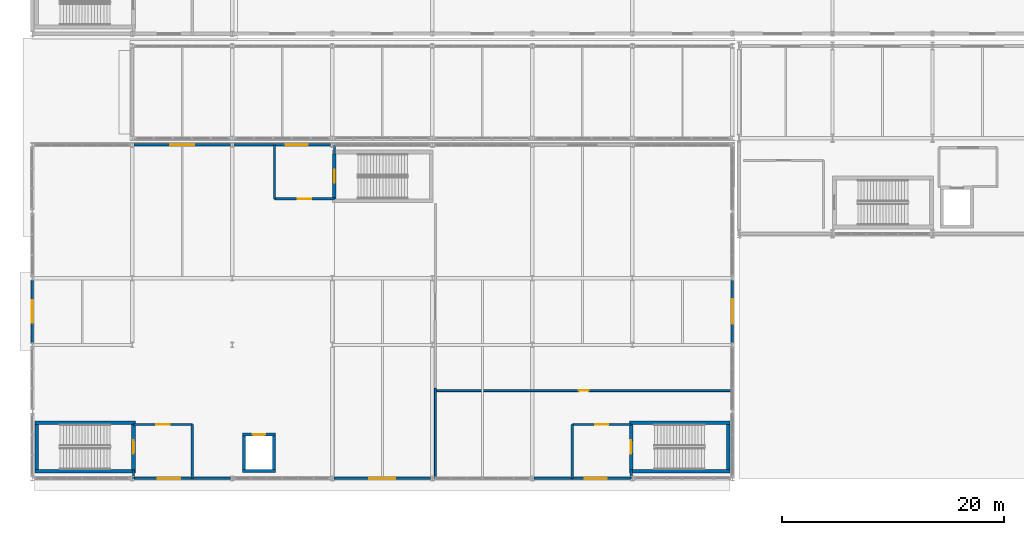
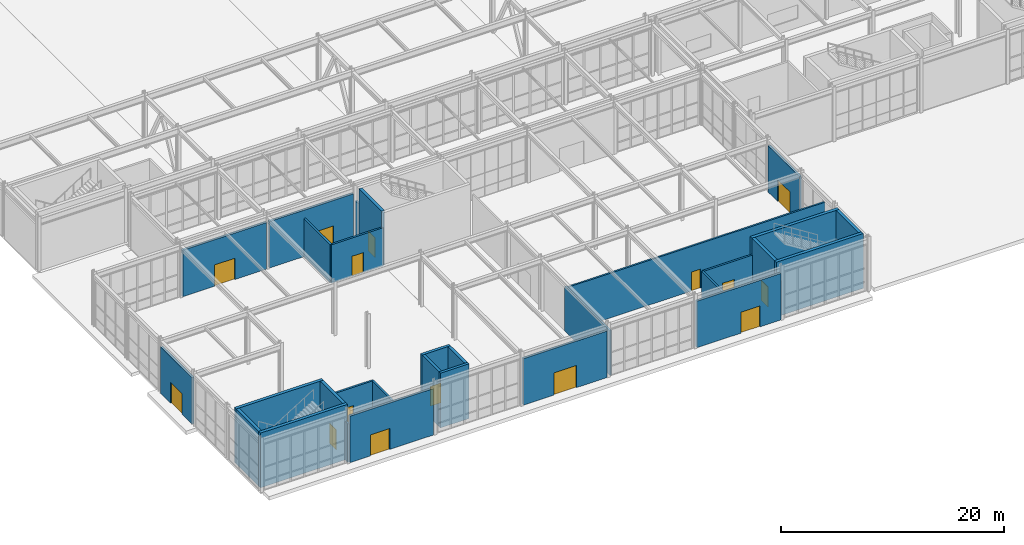
# One storey, part 118 of 146: 31 walls, 15 doors, 15 openings.
"""IFC4 building model written with IfcOpenShell, lengths in metres."""

from ifc_helpers import new_model, si_unit, direction, frame, frame_2d, origin, place, context, subcontext, project, spatial, rectangle, extrude, material, layer, layer_set, type_object, element, fill, save


model = new_model("IFC4")

# Units and contexts
model_context = context("Model", 3, precision=1e-05, world=origin(), true_north=direction((0.0, 1.0)))
body_context = subcontext(model_context, "Body", "Model", "MODEL_VIEW")
ifc_project = project(units=[si_unit("LENGTHUNIT", "METRE"), si_unit("AREAUNIT", "SQUARE_METRE"), si_unit("VOLUMEUNIT", "CUBIC_METRE"), si_unit("PLANEANGLEUNIT", "RADIAN"), si_unit("MASSUNIT", "GRAM", prefix="KILO")], contexts=[model_context])

# Site, building, storey
site_placement = place(None, origin())
site = spatial("IfcSite", under=ifc_project, at=site_placement, CompositionType="ELEMENT")
building_placement = place(site_placement, origin())
building = spatial("IfcBuilding", under=site, at=building_placement, Name="Kaldris Quays Convention Centre", CompositionType="ELEMENT")
storey_placement = place(building_placement, origin())
storey = spatial("IfcBuildingStorey", under=building, at=storey_placement, Name="L00", CompositionType="ELEMENT", Elevation=0.0)

# Wall, opening, door
ifc_material_1 = material(Name="Basalt stone ashlar cladding", Category="masonry")
ifc_layer_1 = layer(ifc_material_1, 0.241943359375)
ifc_layer_set_1 = layer_set([ifc_layer_1], Name="Basalt stone ashlar cladding")
wall_type_1 = type_object("IfcWallType", Name="EXTERIOR WALL EW05", PredefinedType="STANDARD", material=ifc_layer_set_1)
wall_1_placement = place(storey_placement, frame((29.14990234375, 16.0, 0.0), z_axis=(0.0, 0.0, 1.0), x_axis=(1.0, 0.0, 0.0)))
wall_1 = element("IfcWall", 1, at=wall_1_placement, inside=storey, type_object=wall_type_1, Name="L00 Exterior Wall EW05 153", PredefinedType="STANDARD", context=body_context, shape_type="SweptSolid", body=[
    extrude(rectangle(XDim=8.7001953125, YDim=0.241943359375, at=frame_2d((4.35009765625, 0.0))), origin(), (0.0, 0.0, 1.0), 5.097900390625),
])
opening_1_placement = place(wall_1_placement, frame((2.14990234375, 0.0, 0.0)))
opening_1 = element("IfcOpeningElement", 2, at=opening_1_placement, cuts=wall_1, Name="Opening ED01", PredefinedType="OPENING", context=body_context, shape_type="SweptSolid", body=[
    extrude(rectangle(XDim=2.0, YDim=2.300048828125, at=frame_2d((1.0, 1.14990234375))), frame((0.0, 0.130859375, 0.0), z_axis=(0.0, -1.0, 0.0), x_axis=(1.0, 0.0, 0.0)), (0.0, 0.0, 1.0), 0.261962890625),
])
ifc_material_2 = material(Name="Thermally broken anodized aluminium and laminated safety glass", Category="aluminium")
door_type_1 = type_object("IfcDoorType", Name="EXTERIOR DOOR ED01", OperationType="DOUBLE_DOOR_SINGLE_SWING", PredefinedType="DOOR", material=ifc_material_2)
door_1_placement = place(opening_1_placement, frame((2.0, 0.0, 0.0), z_axis=(0.0, 0.0, 1.0), x_axis=(-1.0, 0.0, 0.0)))
door_1 = element("IfcDoor", 3, at=door_1_placement, inside=storey, type_object=door_type_1, Name="L00 Stair ST05 Final Exterior Exit Door ED01", OperationType="DOUBLE_DOOR_SINGLE_SWING", OverallHeight=2.300048828125, OverallWidth=2.0, PredefinedType="DOOR", context=body_context, shape_type="SweptSolid", body=[
    extrude(rectangle(XDim=2.0, YDim=2.300048828125, at=frame_2d((1.0, 1.14990234375))), frame((0.0, 0.02490234375, 0.0), z_axis=(0.0, -1.0, 0.0), x_axis=(1.0, 0.0, 0.0)), (0.0, 0.0, 1.0), 0.050048828125),
])
fill(opening_1, door_1)

wall_2_placement = place(storey_placement, frame((29.14990234375, 46.0, 0.0), z_axis=(0.0, 0.0, 1.0), x_axis=(1.0, 0.0, 0.0)))
wall_2 = element("IfcWall", 4, at=wall_2_placement, inside=storey, type_object=wall_type_1, Name="L00 Exterior Wall EW05 154", PredefinedType="STANDARD", context=body_context, shape_type="SweptSolid", body=[
    extrude(rectangle(XDim=8.7001953125, YDim=0.241943359375, at=frame_2d((4.35009765625, 0.0))), origin(), (0.0, 0.0, 1.0), 5.097900390625),
])
opening_2_placement = place(wall_2_placement, frame((3.2900390625, 0.0, 0.0)))
opening_2 = element("IfcOpeningElement", 5, at=opening_2_placement, cuts=wall_2, Name="Opening ED08", PredefinedType="OPENING", context=body_context, shape_type="SweptSolid", body=[
    extrude(rectangle(XDim=2.1201171875, YDim=2.340087890625, at=frame_2d((1.06005859375, 1.169921875))), frame((0.0, 0.130859375, 0.0), z_axis=(0.0, -1.0, 0.0), x_axis=(1.0, 0.0, 0.0)), (0.0, 0.0, 1.0), 0.261962890625),
])
door_type_2 = type_object("IfcDoorType", Name="EXTERIOR DOOR ED08", OperationType="DOUBLE_DOOR_SINGLE_SWING", PredefinedType="DOOR", material=ifc_material_2)
door_2_placement = place(opening_2_placement, origin())
door_2 = element("IfcDoor", 6, at=door_2_placement, inside=storey, type_object=door_type_2, Name="L00 Exterior Exit Door ED08 28", OperationType="DOUBLE_DOOR_SINGLE_SWING", OverallHeight=2.340087890625, OverallWidth=2.1201171875, PredefinedType="DOOR", context=body_context, shape_type="SweptSolid", body=[
    extrude(rectangle(XDim=2.1201171875, YDim=2.340087890625, at=frame_2d((1.06005859375, 1.169921875))), frame((0.0, 0.02490234375, 0.0), z_axis=(0.0, -1.0, 0.0), x_axis=(1.0, 0.0, 0.0)), (0.0, 0.0, 1.0), 0.050048828125),
])
fill(opening_2, door_2)

wall_3_placement = place(storey_placement, frame((38.14990234375, 46.0, 0.0), z_axis=(0.0, 0.0, 1.0), x_axis=(1.0, 0.0, 0.0)))
wall_3 = element("IfcWall", 7, at=wall_3_placement, inside=storey, type_object=wall_type_1, Name="L00 Exterior Wall EW05 155", PredefinedType="STANDARD", context=body_context, shape_type="SweptSolid", body=[
    extrude(rectangle(XDim=8.7001953125, YDim=0.241943359375, at=frame_2d((4.35009765625, 0.0))), origin(), (0.0, 0.0, 1.0), 5.097900390625),
])
opening_3_placement = place(wall_3_placement, frame((4.64990234375, 0.0, 0.0)))
opening_3 = element("IfcOpeningElement", 8, at=opening_3_placement, cuts=wall_3, Name="Opening ED01", PredefinedType="OPENING", context=body_context, shape_type="SweptSolid", body=[
    extrude(rectangle(XDim=2.0, YDim=2.300048828125, at=frame_2d((1.0, 1.14990234375))), frame((0.0, 0.130859375, 0.0), z_axis=(0.0, -1.0, 0.0), x_axis=(1.0, 0.0, 0.0)), (0.0, 0.0, 1.0), 0.261962890625),
])
door_3_placement = place(opening_3_placement, origin())
door_3 = element("IfcDoor", 9, at=door_3_placement, inside=storey, type_object=door_type_1, Name="L00 Stair ST07 Final Exterior Exit Door ED01", OperationType="DOUBLE_DOOR_SINGLE_SWING", OverallHeight=2.300048828125, OverallWidth=2.0, PredefinedType="DOOR", context=body_context, shape_type="SweptSolid", body=[
    extrude(rectangle(XDim=2.0, YDim=2.300048828125, at=frame_2d((1.0, 1.14990234375))), frame((0.0, 0.02490234375, 0.0), z_axis=(0.0, -1.0, 0.0), x_axis=(1.0, 0.0, 0.0)), (0.0, 0.0, 1.0), 0.050048828125),
])
fill(opening_3, door_3)

wall_4_placement = place(storey_placement, frame((47.14990234375, 16.0, 0.0), z_axis=(0.0, 0.0, 1.0), x_axis=(1.0, 0.0, 0.0)))
wall_4 = element("IfcWall", 10, at=wall_4_placement, inside=storey, type_object=wall_type_1, Name="L00 Exterior Wall EW05 156", PredefinedType="STANDARD", context=body_context, shape_type="SweptSolid", body=[
    extrude(rectangle(XDim=8.7001953125, YDim=0.241943359375, at=frame_2d((4.35009765625, 0.0))), origin(), (0.0, 0.0, 1.0), 5.097900390625),
])
opening_4_placement = place(wall_4_placement, frame((3.18994140625, 0.0, 0.0)))
opening_4 = element("IfcOpeningElement", 11, at=opening_4_placement, cuts=wall_4, Name="Opening ED09", PredefinedType="OPENING", context=body_context, shape_type="SweptSolid", body=[
    extrude(rectangle(XDim=2.320068359375, YDim=2.43994140625, at=frame_2d((1.16015625, 1.219970703125))), frame((0.0, 0.130859375, 0.0), z_axis=(0.0, -1.0, 0.0), x_axis=(1.0, 0.0, 0.0)), (0.0, 0.0, 1.0), 0.261962890625),
])
door_type_3 = type_object("IfcDoorType", Name="EXTERIOR DOOR ED09", OperationType="DOUBLE_DOOR_SINGLE_SWING", PredefinedType="DOOR", material=ifc_material_2)
door_4_placement = place(opening_4_placement, frame((2.320068359375, 0.0, 0.0), z_axis=(0.0, 0.0, 1.0), x_axis=(-1.0, 0.0, 0.0)))
door_4 = element("IfcDoor", 12, at=door_4_placement, inside=storey, type_object=door_type_3, Name="L00 Exterior Exit Door ED09 29", OperationType="DOUBLE_DOOR_SINGLE_SWING", OverallHeight=2.43994140625, OverallWidth=2.320068359375, PredefinedType="DOOR", context=body_context, shape_type="SweptSolid", body=[
    extrude(rectangle(XDim=2.320068359375, YDim=2.43994140625, at=frame_2d((1.16015625, 1.219970703125))), frame((0.0, 0.02490234375, 0.0), z_axis=(0.0, -1.0, 0.0), x_axis=(1.0, 0.0, 0.0)), (0.0, 0.0, 1.0), 0.050048828125),
])
fill(opening_4, door_4)

wall_5_placement = place(storey_placement, frame((65.14990234375, 16.0, 0.0), z_axis=(0.0, 0.0, 1.0), x_axis=(1.0, 0.0, 0.0)))
wall_5 = element("IfcWall", 13, at=wall_5_placement, inside=storey, type_object=wall_type_1, Name="L00 Exterior Wall EW05 157", PredefinedType="STANDARD", context=body_context, shape_type="SweptSolid", body=[
    extrude(rectangle(XDim=8.7001953125, YDim=0.241943359375, at=frame_2d((4.35009765625, 0.0))), origin(), (0.0, 0.0, 1.0), 5.097900390625),
])
opening_5_placement = place(wall_5_placement, frame((4.550048828125, 0.0, 0.0)))
opening_5 = element("IfcOpeningElement", 14, at=opening_5_placement, cuts=wall_5, Name="Opening ED01", PredefinedType="OPENING", context=body_context, shape_type="SweptSolid", body=[
    extrude(rectangle(XDim=2.0, YDim=2.300048828125, at=frame_2d((1.0, 1.14990234375))), frame((0.0, 0.130859375, 0.0), z_axis=(0.0, -1.0, 0.0), x_axis=(1.0, 0.0, 0.0)), (0.0, 0.0, 1.0), 0.261962890625),
])
door_5_placement = place(opening_5_placement, frame((2.0, 0.0, 0.0), z_axis=(0.0, 0.0, 1.0), x_axis=(-1.0, 0.0, 0.0)))
door_5 = element("IfcDoor", 15, at=door_5_placement, inside=storey, type_object=door_type_1, Name="L00 Stair ST06 Final Exterior Exit Door ED01", OperationType="DOUBLE_DOOR_SINGLE_SWING", OverallHeight=2.300048828125, OverallWidth=2.0, PredefinedType="DOOR", context=body_context, shape_type="SweptSolid", body=[
    extrude(rectangle(XDim=2.0, YDim=2.300048828125, at=frame_2d((1.0, 1.14990234375))), frame((0.0, 0.02490234375, 0.0), z_axis=(0.0, -1.0, 0.0), x_axis=(1.0, 0.0, 0.0)), (0.0, 0.0, 1.0), 0.050048828125),
])
fill(opening_5, door_5)

wall_6_placement = place(storey_placement, frame((20.0, 28.193603515625, 0.0), z_axis=(0.0, 0.0, 1.0), x_axis=(0.0, 1.0, 0.0)))
wall_6 = element("IfcWall", 16, at=wall_6_placement, inside=storey, type_object=wall_type_1, Name="L00 Exterior Wall EW05 159", PredefinedType="STANDARD", context=body_context, shape_type="SweptSolid", body=[
    extrude(rectangle(XDim=5.61279296875, YDim=0.241943359375, at=frame_2d((2.806396484375, 0.0))), origin(), (0.0, 0.0, 1.0), 5.097900390625),
])
opening_6_placement = place(wall_6_placement, frame((1.806396484375, 0.0, 0.0)))
opening_6 = element("IfcOpeningElement", 17, at=opening_6_placement, cuts=wall_6, Name="Opening ED01", PredefinedType="OPENING", context=body_context, shape_type="SweptSolid", body=[
    extrude(rectangle(XDim=2.0, YDim=2.300048828125, at=frame_2d((1.0, 1.14990234375))), frame((0.0, 0.130859375, 0.0), z_axis=(0.0, -1.0, 0.0), x_axis=(1.0, 0.0, 0.0)), (0.0, 0.0, 1.0), 0.261962890625),
])
door_6_placement = place(opening_6_placement, origin())
door_6 = element("IfcDoor", 18, at=door_6_placement, inside=storey, type_object=door_type_1, Name="L00 Exterior Exit Door ED01 31", OperationType="DOUBLE_DOOR_SINGLE_SWING", OverallHeight=2.300048828125, OverallWidth=2.0, PredefinedType="DOOR", context=body_context, shape_type="SweptSolid", body=[
    extrude(rectangle(XDim=2.0, YDim=2.300048828125, at=frame_2d((1.0, 1.14990234375))), frame((0.0, 0.02490234375, 0.0), z_axis=(0.0, -1.0, 0.0), x_axis=(1.0, 0.0, 0.0)), (0.0, 0.0, 1.0), 0.050048828125),
])
fill(opening_6, door_6)

wall_7_placement = place(storey_placement, frame((83.0, 28.193603515625, 0.0), z_axis=(0.0, 0.0, 1.0), x_axis=(0.0, 1.0, 0.0)))
wall_7 = element("IfcWall", 19, at=wall_7_placement, inside=storey, type_object=wall_type_1, Name="L00 Exterior Wall EW05 160", PredefinedType="STANDARD", context=body_context, shape_type="SweptSolid", body=[
    extrude(rectangle(XDim=5.61279296875, YDim=0.241943359375, at=frame_2d((2.806396484375, 0.0))), origin(), (0.0, 0.0, 1.0), 5.097900390625),
])
opening_7_placement = place(wall_7_placement, frame((1.70654296875, 0.0, 0.0)))
opening_7 = element("IfcOpeningElement", 20, at=opening_7_placement, cuts=wall_7, Name="Opening ED02", PredefinedType="OPENING", context=body_context, shape_type="SweptSolid", body=[
    extrude(rectangle(XDim=2.199951171875, YDim=2.39990234375, at=frame_2d((1.10009765625, 1.199951171875))), frame((0.0, 0.130859375, 0.0), z_axis=(0.0, -1.0, 0.0), x_axis=(1.0, 0.0, 0.0)), (0.0, 0.0, 1.0), 0.261962890625),
])
door_type_4 = type_object("IfcDoorType", Name="EXTERIOR DOOR ED02", OperationType="DOUBLE_DOOR_SINGLE_SWING", PredefinedType="DOOR", material=ifc_material_2)
door_7_placement = place(opening_7_placement, frame((2.199951171875, 0.0, 0.0), z_axis=(0.0, 0.0, 1.0), x_axis=(-1.0, 0.0, 0.0)))
door_7 = element("IfcDoor", 21, at=door_7_placement, inside=storey, type_object=door_type_4, Name="L00 Exterior Exit Door ED02 32", OperationType="DOUBLE_DOOR_SINGLE_SWING", OverallHeight=2.39990234375, OverallWidth=2.199951171875, PredefinedType="DOOR", context=body_context, shape_type="SweptSolid", body=[
    extrude(rectangle(XDim=2.199951171875, YDim=2.39990234375, at=frame_2d((1.10009765625, 1.199951171875))), frame((0.0, 0.02490234375, 0.0), z_axis=(0.0, -1.0, 0.0), x_axis=(1.0, 0.0, 0.0)), (0.0, 0.0, 1.0), 0.050048828125),
])
fill(opening_7, door_7)

ifc_material_3 = material(Name="Concrete C35/45", Category="concrete")
ifc_layer_2 = layer(ifc_material_3, 0.199951171875)
ifc_layer_set_2 = layer_set([ifc_layer_2], Name="Concrete C35/45")
wall_type_2 = type_object("IfcWallType", Name="INTERIOR WALL IW01", PredefinedType="PARTITIONING", material=ifc_layer_set_2)
wall_8_placement = place(storey_placement, frame((29.110107421875, 20.85009765625, 0.0), z_axis=(0.0, 0.0, 1.0), x_axis=(1.0, 0.0, 0.0)))
wall_8 = element("IfcWall", 22, at=wall_8_placement, inside=storey, type_object=wall_type_2, Name="L00 Protected Exit Lobby ST05 Fire Wall", PredefinedType="PARTITIONING", context=body_context, shape_type="SweptSolid", body=[
    extrude(rectangle(XDim=5.289794921875, YDim=0.199951171875, at=frame_2d((2.64501953125, 0.0))), origin(), (0.0, 0.0, 1.0), 4.199951171875),
])
opening_8_placement = place(wall_8_placement, frame((2.044921875, 0.0, 0.0)))
opening_8 = element("IfcOpeningElement", 23, at=opening_8_placement, cuts=wall_8, Name="Opening ID03", PredefinedType="OPENING", context=body_context, shape_type="SweptSolid", body=[
    extrude(rectangle(XDim=1.199951171875, YDim=2.199951171875, at=frame_2d((0.60009765625, 1.10009765625))), frame((0.0, 0.10986328125, 0.0), z_axis=(0.0, -1.0, 0.0), x_axis=(1.0, 0.0, 0.0)), (0.0, 0.0, 1.0), 0.219970703125),
])
ifc_material_4 = material(Name="Steel S355J2 fire-resisting door", Category="steel")
door_type_5 = type_object("IfcDoorType", Name="INTERIOR DOOR ID03", OperationType="NOTDEFINED", PredefinedType="DOOR", material=ifc_material_4)
door_8_placement = place(opening_8_placement, frame((1.199951171875, 0.0, 0.0), z_axis=(0.0, 0.0, 1.0), x_axis=(-1.0, 0.0, 0.0)))
door_8 = element("IfcDoor", 24, at=door_8_placement, inside=storey, type_object=door_type_5, Name="L00 Protected Exit Lobby ST05 Entry Fire Door", OperationType="SINGLE_SWING_LEFT", OverallHeight=2.199951171875, OverallWidth=1.199951171875, PredefinedType="DOOR", context=body_context, shape_type="SweptSolid", body=[
    extrude(rectangle(XDim=1.199951171875, YDim=2.199951171875, at=frame_2d((0.60009765625, 1.10009765625))), frame((0.0, 0.02490234375, 0.0), z_axis=(0.0, -1.0, 0.0), x_axis=(1.0, 0.0, 0.0)), (0.0, 0.0, 1.0), 0.050048828125),
])
fill(opening_8, door_8)

# Walls
wall_9_placement = place(storey_placement, frame((34.39990234375, 16.0, 0.0), z_axis=(0.0, 0.0, 1.0), x_axis=(0.0, 1.0, 0.0)))
element("IfcWall", 25, at=wall_9_placement, inside=storey, type_object=wall_type_2, Name="L00 Protected Exit Lobby ST05 Side Wall 1", PredefinedType="PARTITIONING", context=body_context, shape_type="SweptSolid", body=[
    extrude(rectangle(XDim=4.85009765625, YDim=0.199951171875, at=frame_2d((2.425048828125, 0.0))), origin(), (0.0, 0.0, 1.0), 4.199951171875),
])
wall_10_placement = place(storey_placement, frame((29.110107421875, 16.0, 0.0), z_axis=(0.0, 0.0, 1.0), x_axis=(0.0, 1.0, 0.0)))
element("IfcWall", 26, at=wall_10_placement, inside=storey, type_object=wall_type_2, Name="L00 Protected Exit Lobby ST05 Side Wall 2", PredefinedType="PARTITIONING", context=body_context, shape_type="SweptSolid", body=[
    extrude(rectangle(XDim=0.800048828125, YDim=0.199951171875, at=frame_2d((0.39990234375, 0.0))), origin(), (0.0, 0.0, 1.0), 4.199951171875),
])

# Wall, opening, door
wall_11_placement = place(storey_placement, frame((68.60009765625, 20.85009765625, 0.0), z_axis=(0.0, 0.0, 1.0), x_axis=(1.0, 0.0, 0.0)))
wall_11 = element("IfcWall", 27, at=wall_11_placement, inside=storey, type_object=wall_type_2, Name="L00 Protected Exit Lobby ST06 Fire Wall", PredefinedType="PARTITIONING", context=body_context, shape_type="SweptSolid", body=[
    extrude(rectangle(XDim=5.289794921875, YDim=0.199951171875, at=frame_2d((2.64501953125, 0.0))), origin(), (0.0, 0.0, 1.0), 4.199951171875),
])
opening_9_placement = place(wall_11_placement, frame((2.044921875, 0.0, 0.0)))
opening_9 = element("IfcOpeningElement", 28, at=opening_9_placement, cuts=wall_11, Name="Opening ID03", PredefinedType="OPENING", context=body_context, shape_type="SweptSolid", body=[
    extrude(rectangle(XDim=1.199951171875, YDim=2.199951171875, at=frame_2d((0.60009765625, 1.10009765625))), frame((0.0, 0.10986328125, 0.0), z_axis=(0.0, -1.0, 0.0), x_axis=(1.0, 0.0, 0.0)), (0.0, 0.0, 1.0), 0.219970703125),
])
door_9_placement = place(opening_9_placement, frame((1.199951171875, 0.0, 0.0), z_axis=(0.0, 0.0, 1.0), x_axis=(-1.0, 0.0, 0.0)))
door_9 = element("IfcDoor", 29, at=door_9_placement, inside=storey, type_object=door_type_5, Name="L00 Protected Exit Lobby ST06 Entry Fire Door", OperationType="SINGLE_SWING_RIGHT", OverallHeight=2.199951171875, OverallWidth=1.199951171875, PredefinedType="DOOR", context=body_context, shape_type="SweptSolid", body=[
    extrude(rectangle(XDim=1.199951171875, YDim=2.199951171875, at=frame_2d((0.60009765625, 1.10009765625))), frame((0.0, 0.02490234375, 0.0), z_axis=(0.0, -1.0, 0.0), x_axis=(1.0, 0.0, 0.0)), (0.0, 0.0, 1.0), 0.050048828125),
])
fill(opening_9, door_9)

# Walls
wall_12_placement = place(storey_placement, frame((68.60009765625, 16.0, 0.0), z_axis=(0.0, 0.0, 1.0), x_axis=(0.0, 1.0, 0.0)))
element("IfcWall", 30, at=wall_12_placement, inside=storey, type_object=wall_type_2, Name="L00 Protected Exit Lobby ST06 Side Wall 1", PredefinedType="PARTITIONING", context=body_context, shape_type="SweptSolid", body=[
    extrude(rectangle(XDim=4.85009765625, YDim=0.199951171875, at=frame_2d((2.425048828125, 0.0))), origin(), (0.0, 0.0, 1.0), 4.199951171875),
])
wall_13_placement = place(storey_placement, frame((73.889892578125, 16.0, 0.0), z_axis=(0.0, 0.0, 1.0), x_axis=(0.0, 1.0, 0.0)))
element("IfcWall", 31, at=wall_13_placement, inside=storey, type_object=wall_type_2, Name="L00 Protected Exit Lobby ST06 Side Wall 2", PredefinedType="PARTITIONING", context=body_context, shape_type="SweptSolid", body=[
    extrude(rectangle(XDim=0.800048828125, YDim=0.199951171875, at=frame_2d((0.39990234375, 0.0))), origin(), (0.0, 0.0, 1.0), 4.199951171875),
])

# Wall, opening, door
wall_14_placement = place(storey_placement, frame((41.800048828125, 41.14990234375, 0.0), z_axis=(0.0, 0.0, 1.0), x_axis=(1.0, 0.0, 0.0)))
wall_14 = element("IfcWall", 32, at=wall_14_placement, inside=storey, type_object=wall_type_2, Name="L00 Protected Exit Lobby ST07 Fire Wall", PredefinedType="PARTITIONING", context=body_context, shape_type="SweptSolid", body=[
    extrude(rectangle(XDim=5.389892578125, YDim=0.199951171875, at=frame_2d((2.69482421875, 0.0))), origin(), (0.0, 0.0, 1.0), 4.199951171875),
])
opening_10_placement = place(wall_14_placement, frame((2.094970703125, 0.0, 0.0)))
opening_10 = element("IfcOpeningElement", 33, at=opening_10_placement, cuts=wall_14, Name="Opening ID03", PredefinedType="OPENING", context=body_context, shape_type="SweptSolid", body=[
    extrude(rectangle(XDim=1.199951171875, YDim=2.199951171875, at=frame_2d((0.60009765625, 1.10009765625))), frame((0.0, 0.10986328125, 0.0), z_axis=(0.0, -1.0, 0.0), x_axis=(1.0, 0.0, 0.0)), (0.0, 0.0, 1.0), 0.219970703125),
])
door_10_placement = place(opening_10_placement, origin())
door_10 = element("IfcDoor", 34, at=door_10_placement, inside=storey, type_object=door_type_5, Name="L00 Protected Exit Lobby ST07 Entry Fire Door", OperationType="SINGLE_SWING_LEFT", OverallHeight=2.199951171875, OverallWidth=1.199951171875, PredefinedType="DOOR", context=body_context, shape_type="SweptSolid", body=[
    extrude(rectangle(XDim=1.199951171875, YDim=2.199951171875, at=frame_2d((0.60009765625, 1.10009765625))), frame((0.0, 0.02490234375, 0.0), z_axis=(0.0, -1.0, 0.0), x_axis=(1.0, 0.0, 0.0)), (0.0, 0.0, 1.0), 0.050048828125),
])
fill(opening_10, door_10)

# Walls
wall_15_placement = place(storey_placement, frame((41.800048828125, 41.14990234375, 0.0), z_axis=(0.0, 0.0, 1.0), x_axis=(0.0, 1.0, 0.0)))
element("IfcWall", 35, at=wall_15_placement, inside=storey, type_object=wall_type_2, Name="L00 Protected Exit Lobby ST07 Side Wall 1", PredefinedType="PARTITIONING", context=body_context, shape_type="SweptSolid", body=[
    extrude(rectangle(XDim=4.85009765625, YDim=0.199951171875, at=frame_2d((2.425048828125, 0.0))), origin(), (0.0, 0.0, 1.0), 4.199951171875),
])
wall_16_placement = place(storey_placement, frame((47.18994140625, 45.199951171875, 0.0), z_axis=(0.0, 0.0, 1.0), x_axis=(0.0, 1.0, 0.0)))
element("IfcWall", 36, at=wall_16_placement, inside=storey, type_object=wall_type_2, Name="L00 Protected Exit Lobby ST07 Side Wall 2", PredefinedType="PARTITIONING", context=body_context, shape_type="SweptSolid", body=[
    extrude(rectangle(XDim=0.800048828125, YDim=0.199951171875, at=frame_2d((0.39990234375, 0.0))), origin(), (0.0, 0.0, 1.0), 4.199951171875),
])
ifc_material_5 = material(Name="Acoustic gypsum stud partition", Category="gypsum")
ifc_layer_3 = layer(ifc_material_5, 0.177978515625)
ifc_layer_set_3 = layer_set([ifc_layer_3], Name="Acoustic gypsum stud partition")
wall_type_3 = type_object("IfcWallType", Name="INTERIOR WALL IW02", PredefinedType="PARTITIONING", material=ifc_layer_set_3)
wall_17_placement = place(storey_placement, frame((56.280029296875, 16.0, 0.0), z_axis=(0.0, 0.0, 1.0), x_axis=(0.0, 1.0, 0.0)))
element("IfcWall", 37, at=wall_17_placement, inside=storey, type_object=wall_type_3, Name="L00 Interior Wall IW02 29", PredefinedType="PARTITIONING", context=body_context, shape_type="SweptSolid", body=[
    extrude(rectangle(XDim=8.10009765625, YDim=0.177978515625, at=frame_2d((4.050048828125, 0.0))), origin(), (0.0, 0.0, 1.0), 4.89990234375),
])

# Wall, opening, door
wall_18_placement = place(storey_placement, frame((56.280029296875, 23.89990234375, 0.0), z_axis=(0.0, 0.0, 1.0), x_axis=(1.0, 0.0, 0.0)))
wall_18 = element("IfcWall", 38, at=wall_18_placement, inside=storey, type_object=wall_type_3, Name="L00 Interior Wall IW02 30", PredefinedType="PARTITIONING", context=body_context, shape_type="SweptSolid", body=[
    extrude(rectangle(XDim=26.719970703125, YDim=0.177978515625, at=frame_2d((13.35986328125, 0.0))), origin(), (0.0, 0.0, 1.0), 4.89990234375),
])
opening_11_placement = place(wall_18_placement, frame((12.909912109375, 0.0, 0.0)))
opening_11 = element("IfcOpeningElement", 39, at=opening_11_placement, cuts=wall_18, Name="Opening ID12", PredefinedType="OPENING", context=body_context, shape_type="SweptSolid", body=[
    extrude(rectangle(XDim=0.89990234375, YDim=2.080078125, at=frame_2d((0.449951171875, 1.0400390625))), frame((0.0, 0.09912109375, 0.0), z_axis=(0.0, -1.0, 0.0), x_axis=(1.0, 0.0, 0.0)), (0.0, 0.0, 1.0), 0.197998046875),
])
ifc_material_6 = material(Name="Moisture-resistant sanitary room door", Category="wood")
door_type_6 = type_object("IfcDoorType", Name="INTERIOR DOOR ID12", OperationType="NOTDEFINED", PredefinedType="DOOR", material=ifc_material_6)
door_11_placement = place(opening_11_placement, origin())
door_11 = element("IfcDoor", 40, at=door_11_placement, inside=storey, type_object=door_type_6, Name="L00 Interior Door ID12 22", OperationType="SINGLE_SWING_LEFT", OverallHeight=2.080078125, OverallWidth=0.89990234375, PredefinedType="DOOR", context=body_context, shape_type="SweptSolid", body=[
    extrude(rectangle(XDim=0.89990234375, YDim=2.080078125, at=frame_2d((0.449951171875, 1.0400390625))), frame((0.0, 0.02490234375, 0.0), z_axis=(0.0, -1.0, 0.0), x_axis=(1.0, 0.0, 0.0)), (0.0, 0.0, 1.0), 0.050048828125),
])
fill(opening_11, door_11)

# Walls
ifc_material_7 = material(Name="Concrete C40/50", Category="concrete")
ifc_layer_4 = layer(ifc_material_7, 0.320068359375)
ifc_layer_set_4 = layer_set([ifc_layer_4], Name="Concrete C40/50")
wall_type_4 = type_object("IfcWallType", Name="STRUCTURAL WALL SW02", PredefinedType="SHEAR", material=ifc_layer_set_4)
for number, where, z_axis, x_axis, name in (
    (41, (20.22998046875, 16.639892578125, 0.0), (0.0, 0.0, 1.0), (1.0, 0.0, 0.0), "L00 Core Shear Wall CORE-ST05-L00-S"),
    (42, (20.22998046875, 21.010009765625, 0.0), (0.0, 0.0, 1.0), (1.0, 0.0, 0.0), "L00 Core Shear Wall CORE-ST05-L00-N"),
):
    element("IfcWall", number, at=place(storey_placement, frame(where, z_axis=z_axis, x_axis=x_axis)), inside=storey, type_object=wall_type_4, Name=name, PredefinedType="SHEAR", context=body_context, shape_type="SweptSolid", body=[
        extrude(rectangle(XDim=9.0400390625, YDim=0.320068359375, at=frame_2d((4.52001953125, 0.0))), origin(), (0.0, 0.0, 1.0), 6.0),
    ])
wall_19_placement = place(storey_placement, frame((20.389892578125, 16.800048828125, 0.0), z_axis=(0.0, 0.0, 1.0), x_axis=(0.0, 1.0, 0.0)))
element("IfcWall", 43, at=wall_19_placement, inside=storey, type_object=wall_type_4, Name="L00 Core Shear Wall CORE-ST05-L00-W", PredefinedType="SHEAR", context=body_context, shape_type="SweptSolid", body=[
    extrude(rectangle(XDim=4.050048828125, YDim=0.320068359375, at=frame_2d((2.02490234375, 0.0))), origin(), (0.0, 0.0, 1.0), 6.0),
])

# Wall, opening, door
wall_20_placement = place(storey_placement, frame((29.110107421875, 16.800048828125, 0.0), z_axis=(0.0, 0.0, 1.0), x_axis=(0.0, 1.0, 0.0)))
wall_20 = element("IfcWall", 44, at=wall_20_placement, inside=storey, type_object=wall_type_4, Name="L00 Core Shear Wall CORE-ST05-L00-E", PredefinedType="SHEAR", context=body_context, shape_type="SweptSolid", body=[
    extrude(rectangle(XDim=4.050048828125, YDim=0.320068359375, at=frame_2d((2.02490234375, 0.0))), origin(), (0.0, 0.0, 1.0), 6.0),
])
opening_12_placement = place(wall_20_placement, frame((1.425048828125, 0.0, 0.0)))
opening_12 = element("IfcOpeningElement", 45, at=opening_12_placement, cuts=wall_20, Name="Opening ID03", PredefinedType="OPENING", context=body_context, shape_type="SweptSolid", body=[
    extrude(rectangle(XDim=1.199951171875, YDim=2.199951171875, at=frame_2d((0.60009765625, 1.10009765625))), frame((0.0, 0.169921875, 0.0), z_axis=(0.0, -1.0, 0.0), x_axis=(1.0, 0.0, 0.0)), (0.0, 0.0, 1.0), 0.340087890625),
])
door_12_placement = place(opening_12_placement, frame((1.199951171875, 0.0, 0.0), z_axis=(0.0, 0.0, 1.0), x_axis=(-1.0, 0.0, 0.0)))
door_12 = element("IfcDoor", 46, at=door_12_placement, inside=storey, type_object=door_type_5, Name="L00 Escape Stair ST05 Fire Door", OperationType="SINGLE_SWING_RIGHT", OverallHeight=2.199951171875, OverallWidth=1.199951171875, PredefinedType="DOOR", context=body_context, shape_type="SweptSolid", body=[
    extrude(rectangle(XDim=1.199951171875, YDim=2.199951171875, at=frame_2d((0.60009765625, 1.10009765625))), frame((0.0, 0.02490234375, 0.0), z_axis=(0.0, -1.0, 0.0), x_axis=(1.0, 0.0, 0.0)), (0.0, 0.0, 1.0), 0.050048828125),
])
fill(opening_12, door_12)

# Walls
for number, where, z_axis, x_axis, name in (
    (47, (73.72998046875, 16.639892578125, 0.0), (0.0, 0.0, 1.0), (1.0, 0.0, 0.0), "L00 Core Shear Wall CORE-ST06-L00-S"),
    (48, (73.72998046875, 21.010009765625, 0.0), (0.0, 0.0, 1.0), (1.0, 0.0, 0.0), "L00 Core Shear Wall CORE-ST06-L00-N"),
):
    element("IfcWall", number, at=place(storey_placement, frame(where, z_axis=z_axis, x_axis=x_axis)), inside=storey, type_object=wall_type_4, Name=name, PredefinedType="SHEAR", context=body_context, shape_type="SweptSolid", body=[
        extrude(rectangle(XDim=9.0400390625, YDim=0.320068359375, at=frame_2d((4.52001953125, 0.0))), origin(), (0.0, 0.0, 1.0), 6.0),
    ])

# Wall, opening, door
wall_21_placement = place(storey_placement, frame((73.889892578125, 16.800048828125, 0.0), z_axis=(0.0, 0.0, 1.0), x_axis=(0.0, 1.0, 0.0)))
wall_21 = element("IfcWall", 49, at=wall_21_placement, inside=storey, type_object=wall_type_4, Name="L00 Core Shear Wall CORE-ST06-L00-W", PredefinedType="SHEAR", context=body_context, shape_type="SweptSolid", body=[
    extrude(rectangle(XDim=4.050048828125, YDim=0.320068359375, at=frame_2d((2.02490234375, 0.0))), origin(), (0.0, 0.0, 1.0), 6.0),
])
opening_13_placement = place(wall_21_placement, frame((1.425048828125, 0.0, 0.0)))
opening_13 = element("IfcOpeningElement", 50, at=opening_13_placement, cuts=wall_21, Name="Opening ID03", PredefinedType="OPENING", context=body_context, shape_type="SweptSolid", body=[
    extrude(rectangle(XDim=1.199951171875, YDim=2.199951171875, at=frame_2d((0.60009765625, 1.10009765625))), frame((0.0, 0.169921875, 0.0), z_axis=(0.0, -1.0, 0.0), x_axis=(1.0, 0.0, 0.0)), (0.0, 0.0, 1.0), 0.340087890625),
])
door_13_placement = place(opening_13_placement, origin())
door_13 = element("IfcDoor", 51, at=door_13_placement, inside=storey, type_object=door_type_5, Name="L00 Escape Stair ST06 Fire Door", OperationType="SINGLE_SWING_LEFT", OverallHeight=2.199951171875, OverallWidth=1.199951171875, PredefinedType="DOOR", context=body_context, shape_type="SweptSolid", body=[
    extrude(rectangle(XDim=1.199951171875, YDim=2.199951171875, at=frame_2d((0.60009765625, 1.10009765625))), frame((0.0, 0.02490234375, 0.0), z_axis=(0.0, -1.0, 0.0), x_axis=(1.0, 0.0, 0.0)), (0.0, 0.0, 1.0), 0.050048828125),
])
fill(opening_13, door_13)

# Wall
wall_22_placement = place(storey_placement, frame((82.610107421875, 16.800048828125, 0.0), z_axis=(0.0, 0.0, 1.0), x_axis=(0.0, 1.0, 0.0)))
element("IfcWall", 52, at=wall_22_placement, inside=storey, type_object=wall_type_4, Name="L00 Core Shear Wall CORE-ST06-L00-E", PredefinedType="SHEAR", context=body_context, shape_type="SweptSolid", body=[
    extrude(rectangle(XDim=4.050048828125, YDim=0.320068359375, at=frame_2d((2.02490234375, 0.0))), origin(), (0.0, 0.0, 1.0), 6.0),
])

# Wall, opening, door
wall_23_placement = place(storey_placement, frame((47.18994140625, 41.14990234375, 0.0), z_axis=(0.0, 0.0, 1.0), x_axis=(0.0, 1.0, 0.0)))
wall_23 = element("IfcWall", 53, at=wall_23_placement, inside=storey, type_object=wall_type_4, Name="L00 Core Shear Wall CORE-ST07-L00-W", PredefinedType="SHEAR", context=body_context, shape_type="SweptSolid", body=[
    extrude(rectangle(XDim=4.050048828125, YDim=0.320068359375, at=frame_2d((2.02490234375, 0.0))), origin(), (0.0, 0.0, 1.0), 6.0),
])
opening_14_placement = place(wall_23_placement, frame((1.425048828125, 0.0, 0.0)))
opening_14 = element("IfcOpeningElement", 54, at=opening_14_placement, cuts=wall_23, Name="Opening ID03", PredefinedType="OPENING", context=body_context, shape_type="SweptSolid", body=[
    extrude(rectangle(XDim=1.199951171875, YDim=2.199951171875, at=frame_2d((0.60009765625, 1.10009765625))), frame((0.0, 0.169921875, 0.0), z_axis=(0.0, -1.0, 0.0), x_axis=(1.0, 0.0, 0.0)), (0.0, 0.0, 1.0), 0.340087890625),
])
door_14_placement = place(opening_14_placement, origin())
door_14 = element("IfcDoor", 55, at=door_14_placement, inside=storey, type_object=door_type_5, Name="L00 Escape Stair ST07 Fire Door", OperationType="SINGLE_SWING_RIGHT", OverallHeight=2.199951171875, OverallWidth=1.199951171875, PredefinedType="DOOR", context=body_context, shape_type="SweptSolid", body=[
    extrude(rectangle(XDim=1.199951171875, YDim=2.199951171875, at=frame_2d((0.60009765625, 1.10009765625))), frame((0.0, 0.02490234375, 0.0), z_axis=(0.0, -1.0, 0.0), x_axis=(1.0, 0.0, 0.0)), (0.0, 0.0, 1.0), 0.050048828125),
])
fill(opening_14, door_14)

# Wall
ifc_layer_5 = layer(ifc_material_7, 0.280029296875)
ifc_layer_set_5 = layer_set([ifc_layer_5], Name="Concrete C40/50")
wall_type_5 = type_object("IfcWallType", Name="STRUCTURAL WALL SW03", PredefinedType="SHEAR", material=ifc_layer_set_5)
wall_24_placement = place(storey_placement, frame((38.919921875, 16.659912109375, 0.0), z_axis=(0.0, 0.0, 1.0), x_axis=(1.0, 0.0, 0.0)))
element("IfcWall", 56, at=wall_24_placement, inside=storey, type_object=wall_type_5, Name="L00 Core Shear Wall LSHAFT-PL01-L00-S", PredefinedType="SHEAR", context=body_context, shape_type="SweptSolid", body=[
    extrude(rectangle(XDim=2.9599609375, YDim=0.280029296875, at=frame_2d((1.47998046875, 0.0))), origin(), (0.0, 0.0, 1.0), 6.0),
])

# Wall, opening, door
wall_25_placement = place(storey_placement, frame((38.919921875, 19.93994140625, 0.0), z_axis=(0.0, 0.0, 1.0), x_axis=(1.0, 0.0, 0.0)))
wall_25 = element("IfcWall", 57, at=wall_25_placement, inside=storey, type_object=wall_type_5, Name="L00 Core Shear Wall LSHAFT-PL01-L00-N", PredefinedType="SHEAR", context=body_context, shape_type="SweptSolid", body=[
    extrude(rectangle(XDim=2.9599609375, YDim=0.280029296875, at=frame_2d((1.47998046875, 0.0))), origin(), (0.0, 0.0, 1.0), 6.0),
])
opening_15_placement = place(wall_25_placement, frame((0.929931640625, 0.0, 0.0)))
opening_15 = element("IfcOpeningElement", 58, at=opening_15_placement, cuts=wall_25, Name="Opening LD01", PredefinedType="OPENING", context=body_context, shape_type="SweptSolid", body=[
    extrude(rectangle(XDim=1.10009765625, YDim=2.14990234375, at=frame_2d((0.550048828125, 1.074951171875))), frame((0.0, 0.14990234375, 0.0), z_axis=(0.0, -1.0, 0.0), x_axis=(1.0, 0.0, 0.0)), (0.0, 0.0, 1.0), 0.300048828125),
])
ifc_material_8 = material(Name="Stainless steel 1.4301 lift landing door", Category="steel")
door_type_7 = type_object("IfcDoorType", Name="INTERIOR DOOR LD01", OperationType="DOUBLE_DOOR_SLIDING", PredefinedType="DOOR", material=ifc_material_8)
door_15_placement = place(opening_15_placement, origin())
door_15 = element("IfcDoor", 59, at=door_15_placement, inside=storey, type_object=door_type_7, Name="L00 PL01 Sliding Lift Landing Door", OperationType="DOUBLE_DOOR_SLIDING", OverallHeight=2.14990234375, OverallWidth=1.10009765625, PredefinedType="DOOR", context=body_context, shape_type="SweptSolid", body=[
    extrude(rectangle(XDim=1.10009765625, YDim=2.14990234375, at=frame_2d((0.550048828125, 1.074951171875))), frame((0.0, 0.02490234375, 0.0), z_axis=(0.0, -1.0, 0.0), x_axis=(1.0, 0.0, 0.0)), (0.0, 0.0, 1.0), 0.050048828125),
])
fill(opening_15, door_15)

# Walls
for number, where, z_axis, x_axis, name in (
    (60, (39.06005859375, 16.800048828125, 0.0), (0.0, 0.0, 1.0), (0.0, 1.0, 0.0), "L00 Core Shear Wall LSHAFT-PL01-L00-W"),
    (61, (41.739990234375, 16.800048828125, 0.0), (0.0, 0.0, 1.0), (0.0, 1.0, 0.0), "L00 Core Shear Wall LSHAFT-PL01-L00-E"),
):
    element("IfcWall", number, at=place(storey_placement, frame(where, z_axis=z_axis, x_axis=x_axis)), inside=storey, type_object=wall_type_5, Name=name, PredefinedType="SHEAR", context=body_context, shape_type="SweptSolid", body=[
        extrude(rectangle(XDim=3.0, YDim=0.280029296875, at=frame_2d((1.5, 0.0))), origin(), (0.0, 0.0, 1.0), 6.0),
    ])

save(model, "model.ifc")
